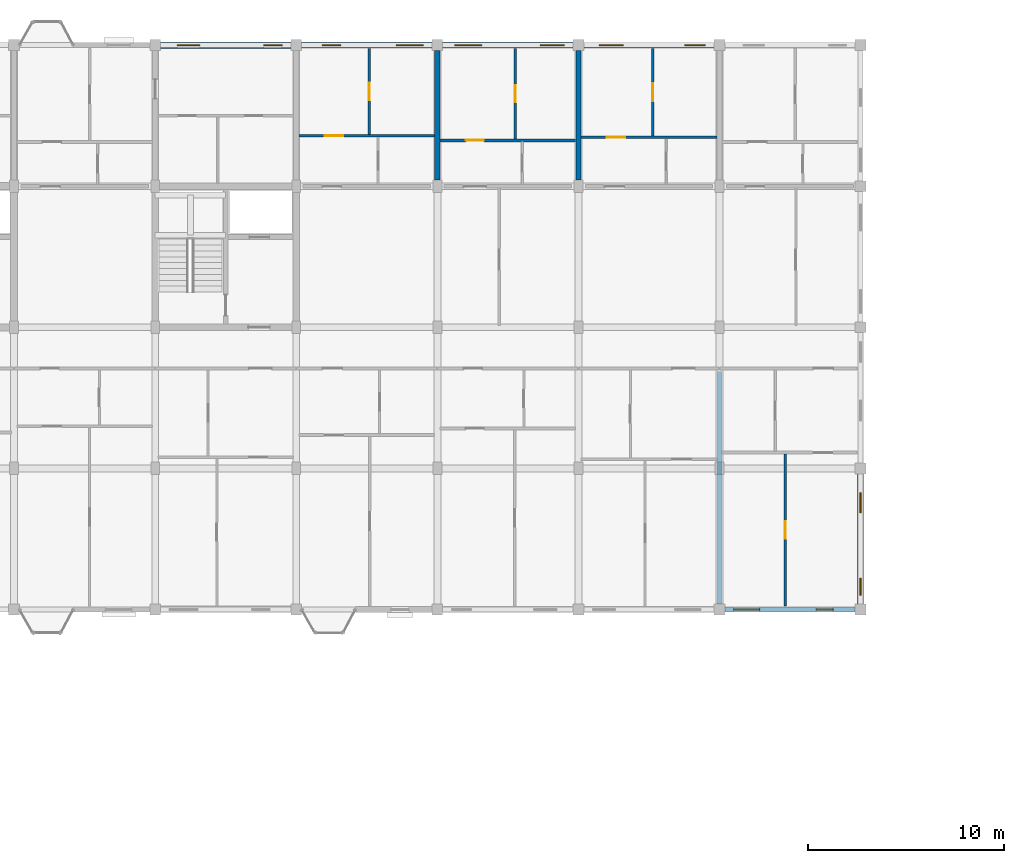
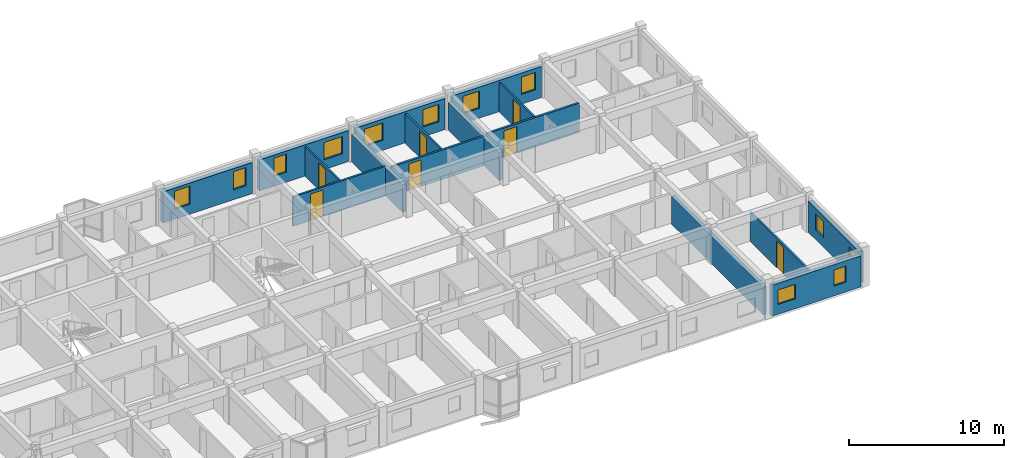
# One storey, part 70 of 77: 16 walls, 12 windows, 7 doors, 19 openings.
"""IFC4 building model written with IfcOpenShell, lengths in metres."""

from ifc_helpers import new_model, si_unit, direction, frame, frame_2d, origin, place, context, subcontext, project, spatial, rectangle, extrude, material, layer, layer_set, type_object, element, fill, save


model = new_model("IFC4")

# Units and contexts
model_context = context("Model", 3, precision=1e-05, world=origin(), true_north=direction((0.0, 1.0)))
body_context = subcontext(model_context, "Body", "Model", "MODEL_VIEW")
ifc_project = project(units=[si_unit("LENGTHUNIT", "METRE"), si_unit("AREAUNIT", "SQUARE_METRE"), si_unit("VOLUMEUNIT", "CUBIC_METRE"), si_unit("PLANEANGLEUNIT", "RADIAN"), si_unit("MASSUNIT", "GRAM", prefix="KILO"), si_unit("THERMODYNAMICTEMPERATUREUNIT", "KELVIN"), si_unit("POWERUNIT", "WATT")], contexts=[model_context])

# Site, building, storey
site_placement = place(None, origin())
site = spatial("IfcSite", under=ifc_project, at=site_placement, CompositionType="ELEMENT")
building_placement = place(site_placement, origin())
building = spatial("IfcBuilding", under=site, at=building_placement, Name="Tavuni Mirador Residences", CompositionType="ELEMENT")
storey_placement = place(building_placement, frame((0.0, 0.0, 10.800048828125)))
storey = spatial("IfcBuildingStorey", under=building, at=storey_placement, Name="L03", CompositionType="ELEMENT", Elevation=10.800048828125)

# Wall, openings, windows
ifc_material_1 = material(Name="Precast concrete C40/50", Category="concrete")
ifc_layer_1 = layer(ifc_material_1, 0.330078125, Name="Precast concrete C40/50", Category="concrete")
ifc_layer_set_1 = layer_set([ifc_layer_1], Name="Precast concrete C40/50")
wall_type_1 = type_object("IfcWallType", Name="WT-EXT-COR330", PredefinedType="SOLIDWALL", material=ifc_layer_set_1)
wall_1_placement = place(storey_placement, frame((46.52490234375, 172.800048828125, 0.0), z_axis=(0.0, 0.0, 1.0), x_axis=(-1.0, 0.0, 0.0)))
wall_1 = element("IfcWall", 1, at=wall_1_placement, inside=storey, type_object=wall_type_1, Name="EW-BLK-C-L03-N04", PredefinedType="SOLIDWALL", context=body_context, shape_type="SweptSolid", body=[
    extrude(rectangle(XDim=6.64990234375, YDim=0.330078125, at=frame_2d((3.324951171875, 0.0))), origin(), (0.0, 0.0, 1.0), 2.454833984375),
])
opening_1_placement = place(wall_1_placement, frame((0.449951171875, 0.0, 0.780029296875)))
opening_1 = element("IfcOpeningElement", 2, at=opening_1_placement, cuts=wall_1, Name="Opening WN-25", PredefinedType="OPENING", context=body_context, shape_type="SweptSolid", body=[
    extrude(rectangle(XDim=0.93994140625, YDim=1.43994140625, at=frame_2d((0.469970703125, 0.719970703125))), frame((0.0, 0.175048828125, 0.0), z_axis=(0.0, -1.0, 0.0), x_axis=(1.0, 0.0, 0.0)), (0.0, 0.0, 1.0), 0.35009765625),
])
opening_2_placement = place(wall_1_placement, frame((4.64990234375, 0.0, 0.780029296875)))
opening_2 = element("IfcOpeningElement", 3, at=opening_2_placement, cuts=wall_1, Name="Opening WN-27", PredefinedType="OPENING", context=body_context, shape_type="SweptSolid", body=[
    extrude(rectangle(XDim=1.14990234375, YDim=1.43994140625, at=frame_2d((0.574951171875, 0.719970703125))), frame((0.0, 0.175048828125, 0.0), z_axis=(0.0, -1.0, 0.0), x_axis=(1.0, 0.0, 0.0)), (0.0, 0.0, 1.0), 0.35009765625),
])
ifc_material_2 = material(Name="Laminated solar-control glass", Category="glass")
window_type_1 = type_object("IfcWindowType", Name="WNT-25", PartitioningType="SINGLE_PANEL", PredefinedType="WINDOW", material=ifc_material_2)
window_1_placement = place(opening_1_placement, origin())
window_1 = element("IfcWindow", 4, at=window_1_placement, inside=storey, type_object=window_type_1, Name="WIN-0981", OverallHeight=1.43994140625, OverallWidth=0.93994140625, PartitioningType="SINGLE_PANEL", PredefinedType="WINDOW", context=body_context, shape_type="SweptSolid", body=[
    extrude(rectangle(XDim=0.93994140625, YDim=1.43994140625, at=frame_2d((0.469970703125, 0.719970703125))), frame((0.0, 0.030029296875, 0.0), z_axis=(0.0, -1.0, 0.0), x_axis=(1.0, 0.0, 0.0)), (0.0, 0.0, 1.0), 0.06005859375),
])
fill(opening_1, window_1)
window_type_2 = type_object("IfcWindowType", Name="WNT-27", PartitioningType="SINGLE_PANEL", PredefinedType="WINDOW", material=ifc_material_2)
window_2_placement = place(opening_2_placement, origin())
window_2 = element("IfcWindow", 5, at=window_2_placement, inside=storey, type_object=window_type_2, Name="WIN-0982", OverallHeight=1.43994140625, OverallWidth=1.14990234375, PartitioningType="SINGLE_PANEL", PredefinedType="WINDOW", context=body_context, shape_type="SweptSolid", body=[
    extrude(rectangle(XDim=1.14990234375, YDim=1.43994140625, at=frame_2d((0.574951171875, 0.719970703125))), frame((0.0, 0.030029296875, 0.0), z_axis=(0.0, -1.0, 0.0), x_axis=(1.0, 0.0, 0.0)), (0.0, 0.0, 1.0), 0.06005859375),
])
fill(opening_2, window_2)

ifc_material_3 = material(Name="Sgraffito lime-rendered precast concrete C40/50", Category="concrete")
ifc_layer_2 = layer(ifc_material_3, 0.27490234375, Name="Sgraffito lime-rendered precast concrete C40/50", Category="concrete")
ifc_layer_set_2 = layer_set([ifc_layer_2], Name="Sgraffito lime-rendered precast concrete C40/50")
wall_type_2 = type_object("IfcWallType", Name="WT-EXT-PC275", PredefinedType="SOLIDWALL", material=ifc_layer_set_2)
wall_2_placement = place(storey_placement, frame((68.675048828125, 144.0, 0.0), z_axis=(0.0, 0.0, 1.0), x_axis=(1.0, 0.0, 0.0)))
wall_2 = element("IfcWall", 6, at=wall_2_placement, inside=storey, type_object=wall_type_2, Name="EW-BLK-C-L03-S08", PredefinedType="SOLIDWALL", context=body_context, shape_type="SweptSolid", body=[
    extrude(rectangle(XDim=6.64990234375, YDim=0.27490234375, at=frame_2d((3.324951171875, 0.0))), origin(), (0.0, 0.0, 1.0), 2.454833984375),
])
opening_3_placement = place(wall_2_placement, frame((0.449951171875, 0.0, 0.780029296875)))
opening_3 = element("IfcOpeningElement", 7, at=opening_3_placement, cuts=wall_2, Name="Opening WN-07", PredefinedType="OPENING", context=body_context, shape_type="SweptSolid", body=[
    extrude(rectangle(XDim=1.320068359375, YDim=1.14990234375, at=frame_2d((0.66015625, 0.574951171875))), frame((0.0, 0.1474609375, 0.0), z_axis=(0.0, -1.0, 0.0), x_axis=(1.0, 0.0, 0.0)), (0.0, 0.0, 1.0), 0.294921875),
])
opening_4_placement = place(wall_2_placement, frame((4.64990234375, 0.0, 0.780029296875)))
opening_4 = element("IfcOpeningElement", 8, at=opening_4_placement, cuts=wall_2, Name="Opening WN-09", PredefinedType="OPENING", context=body_context, shape_type="SweptSolid", body=[
    extrude(rectangle(XDim=0.8798828125, YDim=1.260009765625, at=frame_2d((0.43994140625, 0.6298828125))), frame((0.0, 0.1474609375, 0.0), z_axis=(0.0, -1.0, 0.0), x_axis=(1.0, 0.0, 0.0)), (0.0, 0.0, 1.0), 0.294921875),
])
window_type_3 = type_object("IfcWindowType", Name="WNT-07", PartitioningType="SINGLE_PANEL", PredefinedType="WINDOW", material=ifc_material_2)
window_3_placement = place(opening_3_placement, origin())
window_3 = element("IfcWindow", 9, at=window_3_placement, inside=storey, type_object=window_type_3, Name="WIN-0963", OverallHeight=1.14990234375, OverallWidth=1.320068359375, PartitioningType="SINGLE_PANEL", PredefinedType="WINDOW", context=body_context, shape_type="SweptSolid", body=[
    extrude(rectangle(XDim=1.320068359375, YDim=1.14990234375, at=frame_2d((0.66015625, 0.574951171875))), frame((0.0, 0.030029296875, 0.0), z_axis=(0.0, -1.0, 0.0), x_axis=(1.0, 0.0, 0.0)), (0.0, 0.0, 1.0), 0.06005859375),
])
fill(opening_3, window_3)
window_type_4 = type_object("IfcWindowType", Name="WNT-09", PartitioningType="SINGLE_PANEL", PredefinedType="WINDOW", material=ifc_material_2)
window_4_placement = place(opening_4_placement, origin())
window_4 = element("IfcWindow", 10, at=window_4_placement, inside=storey, type_object=window_type_4, Name="WIN-0964", OverallHeight=1.260009765625, OverallWidth=0.8798828125, PartitioningType="SINGLE_PANEL", PredefinedType="WINDOW", context=body_context, shape_type="SweptSolid", body=[
    extrude(rectangle(XDim=0.8798828125, YDim=1.260009765625, at=frame_2d((0.43994140625, 0.6298828125))), frame((0.0, 0.030029296875, 0.0), z_axis=(0.0, -1.0, 0.0), x_axis=(1.0, 0.0, 0.0)), (0.0, 0.0, 1.0), 0.06005859375),
])
fill(opening_4, window_4)

ifc_layer_3 = layer(ifc_material_3, 0.2900390625, Name="Sgraffito lime-rendered precast concrete C40/50", Category="concrete")
ifc_layer_set_3 = layer_set([ifc_layer_3], Name="Sgraffito lime-rendered precast concrete C40/50")
wall_type_3 = type_object("IfcWallType", Name="WT-EXT-PC290", PredefinedType="SOLIDWALL", material=ifc_layer_set_3)
wall_3_placement = place(storey_placement, frame((75.60009765625, 144.27490234375, 0.0), z_axis=(0.0, 0.0, 1.0), x_axis=(0.0, 1.0, 0.0)))
wall_3 = element("IfcWall", 11, at=wall_3_placement, inside=storey, type_object=wall_type_3, Name="EW-BLK-C-L03-E00", PredefinedType="SOLIDWALL", context=body_context, shape_type="SweptSolid", body=[
    extrude(rectangle(XDim=6.650146484375, YDim=0.2900390625, at=frame_2d((3.3251953125, 0.0))), origin(), (0.0, 0.0, 1.0), 2.454833984375),
])
opening_5_placement = place(wall_3_placement, frame((0.449951171875, 0.0, 0.780029296875)))
opening_5 = element("IfcOpeningElement", 12, at=opening_5_placement, cuts=wall_3, Name="Opening WN-09", PredefinedType="OPENING", context=body_context, shape_type="SweptSolid", body=[
    extrude(rectangle(XDim=0.8798828125, YDim=1.260009765625, at=frame_2d((0.43994140625, 0.6298828125))), frame((0.0, 0.155029296875, 0.0), z_axis=(0.0, -1.0, 0.0), x_axis=(1.0, 0.0, 0.0)), (0.0, 0.0, 1.0), 0.31005859375),
])
opening_6_placement = place(wall_3_placement, frame((4.64990234375, 0.0, 0.780029296875)))
opening_6 = element("IfcOpeningElement", 13, at=opening_6_placement, cuts=wall_3, Name="Opening WN-11", PredefinedType="OPENING", context=body_context, shape_type="SweptSolid", body=[
    extrude(rectangle(XDim=1.0400390625, YDim=1.260009765625, at=frame_2d((0.52001953125, 0.6298828125))), frame((0.0, 0.155029296875, 0.0), z_axis=(0.0, -1.0, 0.0), x_axis=(1.0, 0.0, 0.0)), (0.0, 0.0, 1.0), 0.31005859375),
])
window_5_placement = place(opening_5_placement, origin())
window_5 = element("IfcWindow", 14, at=window_5_placement, inside=storey, type_object=window_type_4, Name="WIN-0965", OverallHeight=1.260009765625, OverallWidth=0.8798828125, PartitioningType="SINGLE_PANEL", PredefinedType="WINDOW", context=body_context, shape_type="SweptSolid", body=[
    extrude(rectangle(XDim=0.8798828125, YDim=1.260009765625, at=frame_2d((0.43994140625, 0.6298828125))), frame((0.0, 0.030029296875, 0.0), z_axis=(0.0, -1.0, 0.0), x_axis=(1.0, 0.0, 0.0)), (0.0, 0.0, 1.0), 0.06005859375),
])
fill(opening_5, window_5)
window_type_5 = type_object("IfcWindowType", Name="WNT-11", PartitioningType="SINGLE_PANEL", PredefinedType="WINDOW", material=ifc_material_2)
window_6_placement = place(opening_6_placement, origin())
window_6 = element("IfcWindow", 15, at=window_6_placement, inside=storey, type_object=window_type_5, Name="WIN-0966", OverallHeight=1.260009765625, OverallWidth=1.0400390625, PartitioningType="SINGLE_PANEL", PredefinedType="WINDOW", context=body_context, shape_type="SweptSolid", body=[
    extrude(rectangle(XDim=1.0400390625, YDim=1.260009765625, at=frame_2d((0.52001953125, 0.6298828125))), frame((0.0, 0.030029296875, 0.0), z_axis=(0.0, -1.0, 0.0), x_axis=(1.0, 0.0, 0.0)), (0.0, 0.0, 1.0), 0.06005859375),
])
fill(opening_6, window_6)

wall_4_placement = place(storey_placement, frame((68.125, 172.800048828125, 0.0), z_axis=(0.0, 0.0, 1.0), x_axis=(-1.0, 0.0, 0.0)))
wall_4 = element("IfcWall", 16, at=wall_4_placement, inside=storey, type_object=wall_type_3, Name="EW-BLK-C-L03-N07", PredefinedType="SOLIDWALL", context=body_context, shape_type="SweptSolid", body=[
    extrude(rectangle(XDim=6.64990234375, YDim=0.2900390625, at=frame_2d((3.324951171875, 0.0))), origin(), (0.0, 0.0, 1.0), 2.454833984375),
])
opening_7_placement = place(wall_4_placement, frame((0.449951171875, 0.0, 0.780029296875)))
opening_7 = element("IfcOpeningElement", 17, at=opening_7_placement, cuts=wall_4, Name="Opening WN-19", PredefinedType="OPENING", context=body_context, shape_type="SweptSolid", body=[
    extrude(rectangle(XDim=1.06005859375, YDim=1.360107421875, at=frame_2d((0.530029296875, 0.68017578125))), frame((0.0, 0.155029296875, 0.0), z_axis=(0.0, -1.0, 0.0), x_axis=(1.0, 0.0, 0.0)), (0.0, 0.0, 1.0), 0.31005859375),
])
opening_8_placement = place(wall_4_placement, frame((4.64990234375, 0.0, 0.780029296875)))
opening_8 = element("IfcOpeningElement", 18, at=opening_8_placement, cuts=wall_4, Name="Opening WN-21", PredefinedType="OPENING", context=body_context, shape_type="SweptSolid", body=[
    extrude(rectangle(XDim=1.219970703125, YDim=1.360107421875, at=frame_2d((0.60986328125, 0.68017578125))), frame((0.0, 0.155029296875, 0.0), z_axis=(0.0, -1.0, 0.0), x_axis=(1.0, 0.0, 0.0)), (0.0, 0.0, 1.0), 0.31005859375),
])
window_type_6 = type_object("IfcWindowType", Name="WNT-19", PartitioningType="SINGLE_PANEL", PredefinedType="WINDOW", material=ifc_material_2)
window_7_placement = place(opening_7_placement, origin())
window_7 = element("IfcWindow", 19, at=window_7_placement, inside=storey, type_object=window_type_6, Name="WIN-0975", OverallHeight=1.360107421875, OverallWidth=1.06005859375, PartitioningType="SINGLE_PANEL", PredefinedType="WINDOW", context=body_context, shape_type="SweptSolid", body=[
    extrude(rectangle(XDim=1.06005859375, YDim=1.360107421875, at=frame_2d((0.530029296875, 0.68017578125))), frame((0.0, 0.030029296875, 0.0), z_axis=(0.0, -1.0, 0.0), x_axis=(1.0, 0.0, 0.0)), (0.0, 0.0, 1.0), 0.06005859375),
])
fill(opening_7, window_7)
window_type_7 = type_object("IfcWindowType", Name="WNT-21", PartitioningType="SINGLE_PANEL", PredefinedType="WINDOW", material=ifc_material_2)
window_8_placement = place(opening_8_placement, origin())
window_8 = element("IfcWindow", 20, at=window_8_placement, inside=storey, type_object=window_type_7, Name="WIN-0976", OverallHeight=1.360107421875, OverallWidth=1.219970703125, PartitioningType="SINGLE_PANEL", PredefinedType="WINDOW", context=body_context, shape_type="SweptSolid", body=[
    extrude(rectangle(XDim=1.219970703125, YDim=1.360107421875, at=frame_2d((0.60986328125, 0.68017578125))), frame((0.0, 0.030029296875, 0.0), z_axis=(0.0, -1.0, 0.0), x_axis=(1.0, 0.0, 0.0)), (0.0, 0.0, 1.0), 0.06005859375),
])
fill(opening_8, window_8)

ifc_layer_4 = layer(ifc_material_3, 0.304931640625, Name="Sgraffito lime-rendered precast concrete C40/50", Category="concrete")
ifc_layer_set_4 = layer_set([ifc_layer_4], Name="Sgraffito lime-rendered precast concrete C40/50")
wall_type_4 = type_object("IfcWallType", Name="WT-EXT-PC305", PredefinedType="SOLIDWALL", material=ifc_layer_set_4)
wall_5_placement = place(storey_placement, frame((60.925048828125, 172.800048828125, 0.0), z_axis=(0.0, 0.0, 1.0), x_axis=(-1.0, 0.0, 0.0)))
wall_5 = element("IfcWall", 21, at=wall_5_placement, inside=storey, type_object=wall_type_4, Name="EW-BLK-C-L03-N06", PredefinedType="SOLIDWALL", context=body_context, shape_type="SweptSolid", body=[
    extrude(rectangle(XDim=6.650146484375, YDim=0.304931640625, at=frame_2d((3.3251953125, 0.0))), origin(), (0.0, 0.0, 1.0), 2.454833984375),
])
opening_9_placement = place(wall_5_placement, frame((0.449951171875, 0.0, 0.780029296875)))
opening_9 = element("IfcOpeningElement", 22, at=opening_9_placement, cuts=wall_5, Name="Opening WN-21", PredefinedType="OPENING", context=body_context, shape_type="SweptSolid", body=[
    extrude(rectangle(XDim=1.219970703125, YDim=1.360107421875, at=frame_2d((0.60986328125, 0.68017578125))), frame((0.0, 0.16259765625, 0.0), z_axis=(0.0, -1.0, 0.0), x_axis=(1.0, 0.0, 0.0)), (0.0, 0.0, 1.0), 0.324951171875),
])
opening_10_placement = place(wall_5_placement, frame((4.64990234375, 0.0, 0.780029296875)))
opening_10 = element("IfcOpeningElement", 23, at=opening_10_placement, cuts=wall_5, Name="Opening WN-23", PredefinedType="OPENING", context=body_context, shape_type="SweptSolid", body=[
    extrude(rectangle(XDim=1.3798828125, YDim=1.360107421875, at=frame_2d((0.68994140625, 0.68017578125))), frame((0.0, 0.16259765625, 0.0), z_axis=(0.0, -1.0, 0.0), x_axis=(1.0, 0.0, 0.0)), (0.0, 0.0, 1.0), 0.324951171875),
])
window_9_placement = place(opening_9_placement, origin())
window_9 = element("IfcWindow", 24, at=window_9_placement, inside=storey, type_object=window_type_7, Name="WIN-0977", OverallHeight=1.360107421875, OverallWidth=1.219970703125, PartitioningType="SINGLE_PANEL", PredefinedType="WINDOW", context=body_context, shape_type="SweptSolid", body=[
    extrude(rectangle(XDim=1.219970703125, YDim=1.360107421875, at=frame_2d((0.60986328125, 0.68017578125))), frame((0.0, 0.030029296875, 0.0), z_axis=(0.0, -1.0, 0.0), x_axis=(1.0, 0.0, 0.0)), (0.0, 0.0, 1.0), 0.06005859375),
])
fill(opening_9, window_9)
window_type_8 = type_object("IfcWindowType", Name="WNT-23", PartitioningType="SINGLE_PANEL", PredefinedType="WINDOW", material=ifc_material_2)
window_10_placement = place(opening_10_placement, origin())
window_10 = element("IfcWindow", 25, at=window_10_placement, inside=storey, type_object=window_type_8, Name="WIN-0978", OverallHeight=1.360107421875, OverallWidth=1.3798828125, PartitioningType="SINGLE_PANEL", PredefinedType="WINDOW", context=body_context, shape_type="SweptSolid", body=[
    extrude(rectangle(XDim=1.3798828125, YDim=1.360107421875, at=frame_2d((0.68994140625, 0.68017578125))), frame((0.0, 0.030029296875, 0.0), z_axis=(0.0, -1.0, 0.0), x_axis=(1.0, 0.0, 0.0)), (0.0, 0.0, 1.0), 0.06005859375),
])
fill(opening_10, window_10)

ifc_layer_5 = layer(ifc_material_3, 0.31494140625, Name="Sgraffito lime-rendered precast concrete C40/50", Category="concrete")
ifc_layer_set_5 = layer_set([ifc_layer_5], Name="Sgraffito lime-rendered precast concrete C40/50")
wall_type_5 = type_object("IfcWallType", Name="WT-EXT-PC315", PredefinedType="SOLIDWALL", material=ifc_layer_set_5)
wall_6_placement = place(storey_placement, frame((53.72509765625, 172.800048828125, 0.0), z_axis=(0.0, 0.0, 1.0), x_axis=(-1.0, 0.0, 0.0)))
wall_6 = element("IfcWall", 26, at=wall_6_placement, inside=storey, type_object=wall_type_5, Name="EW-BLK-C-L03-N05", PredefinedType="SOLIDWALL", context=body_context, shape_type="SweptSolid", body=[
    extrude(rectangle(XDim=6.650146484375, YDim=0.31494140625, at=frame_2d((3.3251953125, 0.0))), origin(), (0.0, 0.0, 1.0), 2.454833984375),
])
opening_11_placement = place(wall_6_placement, frame((0.449951171875, 0.0, 0.780029296875)))
opening_11 = element("IfcOpeningElement", 27, at=opening_11_placement, cuts=wall_6, Name="Opening WN-23", PredefinedType="OPENING", context=body_context, shape_type="SweptSolid", body=[
    extrude(rectangle(XDim=1.3798828125, YDim=1.360107421875, at=frame_2d((0.68994140625, 0.68017578125))), frame((0.0, 0.16748046875, 0.0), z_axis=(0.0, -1.0, 0.0), x_axis=(1.0, 0.0, 0.0)), (0.0, 0.0, 1.0), 0.3349609375),
])
opening_12_placement = place(wall_6_placement, frame((4.64990234375, 0.0, 0.780029296875)))
opening_12 = element("IfcOpeningElement", 28, at=opening_12_placement, cuts=wall_6, Name="Opening WN-25", PredefinedType="OPENING", context=body_context, shape_type="SweptSolid", body=[
    extrude(rectangle(XDim=0.93994140625, YDim=1.43994140625, at=frame_2d((0.469970703125, 0.719970703125))), frame((0.0, 0.16748046875, 0.0), z_axis=(0.0, -1.0, 0.0), x_axis=(1.0, 0.0, 0.0)), (0.0, 0.0, 1.0), 0.3349609375),
])
window_11_placement = place(opening_11_placement, origin())
window_11 = element("IfcWindow", 29, at=window_11_placement, inside=storey, type_object=window_type_8, Name="WIN-0979", OverallHeight=1.360107421875, OverallWidth=1.3798828125, PartitioningType="SINGLE_PANEL", PredefinedType="WINDOW", context=body_context, shape_type="SweptSolid", body=[
    extrude(rectangle(XDim=1.3798828125, YDim=1.360107421875, at=frame_2d((0.68994140625, 0.68017578125))), frame((0.0, 0.030029296875, 0.0), z_axis=(0.0, -1.0, 0.0), x_axis=(1.0, 0.0, 0.0)), (0.0, 0.0, 1.0), 0.06005859375),
])
fill(opening_11, window_11)
window_12_placement = place(opening_12_placement, origin())
window_12 = element("IfcWindow", 30, at=window_12_placement, inside=storey, type_object=window_type_1, Name="WIN-0980", OverallHeight=1.43994140625, OverallWidth=0.93994140625, PartitioningType="SINGLE_PANEL", PredefinedType="WINDOW", context=body_context, shape_type="SweptSolid", body=[
    extrude(rectangle(XDim=0.93994140625, YDim=1.43994140625, at=frame_2d((0.469970703125, 0.719970703125))), frame((0.0, 0.030029296875, 0.0), z_axis=(0.0, -1.0, 0.0), x_axis=(1.0, 0.0, 0.0)), (0.0, 0.0, 1.0), 0.06005859375),
])
fill(opening_12, window_12)

# Wall, opening, door
ifc_material_4 = material(Name="Acoustic gypsum and concrete block partition", Category="concrete")
ifc_layer_6 = layer(ifc_material_4, 0.114990234375, Name="Acoustic gypsum and concrete block partition", Category="concrete")
ifc_layer_set_6 = layer_set([ifc_layer_6], Name="Acoustic gypsum and concrete block partition")
wall_type_6 = type_object("IfcWallType", Name="WT-PART115", PredefinedType="PARTITIONING", material=ifc_layer_set_6)
wall_7_placement = place(storey_placement, frame((50.52001953125, 168.25, 0.0), z_axis=(0.0, 0.0, 1.0), x_axis=(0.0, 1.0, 0.0)))
wall_7 = element("IfcWall", 31, at=wall_7_placement, inside=storey, type_object=wall_type_6, Name="PW-BLK-C-L03-N05-OUT", PredefinedType="PARTITIONING", context=body_context, shape_type="SweptSolid", body=[
    extrude(rectangle(XDim=4.375, YDim=0.114990234375, at=frame_2d((2.1875, 0.0))), origin(), (0.0, 0.0, 1.0), 2.320068359375),
])
opening_13_placement = place(wall_7_placement, frame((1.737548828125, 0.0, 0.0)))
opening_13 = element("IfcOpeningElement", 32, at=opening_13_placement, cuts=wall_7, Name="Opening D-07", PredefinedType="OPENING", context=body_context, shape_type="SweptSolid", body=[
    extrude(rectangle(XDim=0.89990234375, YDim=2.10009765625, at=frame_2d((0.449951171875, 1.050048828125))), frame((0.0, 0.0673828125, 0.0), z_axis=(0.0, -1.0, 0.0), x_axis=(1.0, 0.0, 0.0)), (0.0, 0.0, 1.0), 0.135009765625),
])
ifc_material_5 = material(Name="Solid core iroko timber", Category="wood")
door_type_1 = type_object("IfcDoorType", Name="DT-BED900", OperationType="NOTDEFINED", PredefinedType="DOOR", material=ifc_material_5)
door_1_placement = place(opening_13_placement, origin())
door_1 = element("IfcDoor", 33, at=door_1_placement, inside=storey, type_object=door_type_1, Name="DR-3827", OperationType="SINGLE_SWING_RIGHT", OverallHeight=2.10009765625, OverallWidth=0.89990234375, PredefinedType="DOOR", context=body_context, shape_type="SweptSolid", body=[
    extrude(rectangle(XDim=0.89990234375, YDim=2.10009765625, at=frame_2d((0.449951171875, 1.050048828125))), frame((0.0, 0.02490234375, 0.0), z_axis=(0.0, -1.0, 0.0), x_axis=(1.0, 0.0, 0.0)), (0.0, 0.0, 1.0), 0.050048828125),
])
fill(opening_13, door_1)

ifc_layer_7 = layer(ifc_material_4, 0.125, Name="Acoustic gypsum and concrete block partition", Category="concrete")
ifc_layer_set_7 = layer_set([ifc_layer_7], Name="Acoustic gypsum and concrete block partition")
wall_type_7 = type_object("IfcWallType", Name="WT-PART125", PredefinedType="PARTITIONING", material=ifc_layer_set_7)
wall_8_placement = place(storey_placement, frame((57.97998046875, 168.010009765625, 0.0), z_axis=(0.0, 0.0, 1.0), x_axis=(0.0, 1.0, 0.0)))
wall_8 = element("IfcWall", 34, at=wall_8_placement, inside=storey, type_object=wall_type_7, Name="PW-BLK-C-L03-N06-OUT", PredefinedType="PARTITIONING", context=body_context, shape_type="SweptSolid", body=[
    extrude(rectangle(XDim=4.614990234375, YDim=0.125, at=frame_2d((2.3076171875, 0.0))), origin(), (0.0, 0.0, 1.0), 2.320068359375),
])
opening_14_placement = place(wall_8_placement, frame((1.867431640625, 0.0, 0.0)))
opening_14 = element("IfcOpeningElement", 35, at=opening_14_placement, cuts=wall_8, Name="Opening D-08", PredefinedType="OPENING", context=body_context, shape_type="SweptSolid", body=[
    extrude(rectangle(XDim=0.8798828125, YDim=2.080078125, at=frame_2d((0.43994140625, 1.0400390625))), frame((0.0, 0.072509765625, 0.0), z_axis=(0.0, -1.0, 0.0), x_axis=(1.0, 0.0, 0.0)), (0.0, 0.0, 1.0), 0.14501953125),
])
door_type_2 = type_object("IfcDoorType", Name="DT-BED880", OperationType="NOTDEFINED", PredefinedType="DOOR", material=ifc_material_5)
door_2_placement = place(opening_14_placement, origin())
door_2 = element("IfcDoor", 36, at=door_2_placement, inside=storey, type_object=door_type_2, Name="DR-3834", OperationType="SINGLE_SWING_LEFT", OverallHeight=2.080078125, OverallWidth=0.8798828125, PredefinedType="DOOR", context=body_context, shape_type="SweptSolid", body=[
    extrude(rectangle(XDim=0.8798828125, YDim=2.080078125, at=frame_2d((0.43994140625, 1.0400390625))), frame((0.0, 0.02490234375, 0.0), z_axis=(0.0, -1.0, 0.0), x_axis=(1.0, 0.0, 0.0)), (0.0, 0.0, 1.0), 0.050048828125),
])
fill(opening_14, door_2)

wall_9_placement = place(storey_placement, frame((65.0, 168.169921875, 0.0), z_axis=(0.0, 0.0, 1.0), x_axis=(0.0, 1.0, 0.0)))
wall_9 = element("IfcWall", 37, at=wall_9_placement, inside=storey, type_object=wall_type_7, Name="PW-BLK-C-L03-N07-OUT", PredefinedType="PARTITIONING", context=body_context, shape_type="SweptSolid", body=[
    extrude(rectangle(XDim=4.455078125, YDim=0.125, at=frame_2d((2.2275390625, 0.0))), origin(), (0.0, 0.0, 1.0), 2.320068359375),
])
opening_15_placement = place(wall_9_placement, frame((1.777587890625, 0.0, 0.0)))
opening_15 = element("IfcOpeningElement", 38, at=opening_15_placement, cuts=wall_9, Name="Opening D-07", PredefinedType="OPENING", context=body_context, shape_type="SweptSolid", body=[
    extrude(rectangle(XDim=0.89990234375, YDim=2.10009765625, at=frame_2d((0.449951171875, 1.050048828125))), frame((0.0, 0.072509765625, 0.0), z_axis=(0.0, -1.0, 0.0), x_axis=(1.0, 0.0, 0.0)), (0.0, 0.0, 1.0), 0.14501953125),
])
door_3_placement = place(opening_15_placement, origin())
door_3 = element("IfcDoor", 39, at=door_3_placement, inside=storey, type_object=door_type_1, Name="DR-3840", OperationType="SINGLE_SWING_RIGHT", OverallHeight=2.10009765625, OverallWidth=0.89990234375, PredefinedType="DOOR", context=body_context, shape_type="SweptSolid", body=[
    extrude(rectangle(XDim=0.89990234375, YDim=2.10009765625, at=frame_2d((0.449951171875, 1.050048828125))), frame((0.0, 0.02490234375, 0.0), z_axis=(0.0, -1.0, 0.0), x_axis=(1.0, 0.0, 0.0)), (0.0, 0.0, 1.0), 0.050048828125),
])
fill(opening_15, door_3)

wall_10_placement = place(storey_placement, frame((71.75, 144.175048828125, 0.0), z_axis=(0.0, 0.0, 1.0), x_axis=(0.0, 1.0, 0.0)))
wall_10 = element("IfcWall", 40, at=wall_10_placement, inside=storey, type_object=wall_type_7, Name="PW-BLK-C-L03-S08-OUT", PredefinedType="PARTITIONING", context=body_context, shape_type="SweptSolid", body=[
    extrude(rectangle(XDim=7.7548828125, YDim=0.125, at=frame_2d((3.87744140625, 0.0))), origin(), (0.0, 0.0, 1.0), 2.320068359375),
])
opening_16_placement = place(wall_10_placement, frame((3.427490234375, 0.0, 0.0)))
opening_16 = element("IfcOpeningElement", 41, at=opening_16_placement, cuts=wall_10, Name="Opening D-07", PredefinedType="OPENING", context=body_context, shape_type="SweptSolid", body=[
    extrude(rectangle(XDim=0.89990234375, YDim=2.10009765625, at=frame_2d((0.449951171875, 1.050048828125))), frame((0.0, 0.072509765625, 0.0), z_axis=(0.0, -1.0, 0.0), x_axis=(1.0, 0.0, 0.0)), (0.0, 0.0, 1.0), 0.14501953125),
])
door_4_placement = place(opening_16_placement, origin())
door_4 = element("IfcDoor", 42, at=door_4_placement, inside=storey, type_object=door_type_1, Name="DR-3844", OperationType="SINGLE_SWING_RIGHT", OverallHeight=2.10009765625, OverallWidth=0.89990234375, PredefinedType="DOOR", context=body_context, shape_type="SweptSolid", body=[
    extrude(rectangle(XDim=0.89990234375, YDim=2.10009765625, at=frame_2d((0.449951171875, 1.050048828125))), frame((0.0, 0.02490234375, 0.0), z_axis=(0.0, -1.0, 0.0), x_axis=(1.0, 0.0, 0.0)), (0.0, 0.0, 1.0), 0.050048828125),
])
fill(opening_16, door_4)

ifc_layer_8 = layer(ifc_material_4, 0.139892578125, Name="Acoustic gypsum and concrete block partition", Category="concrete")
ifc_layer_set_8 = layer_set([ifc_layer_8], Name="Acoustic gypsum and concrete block partition")
wall_type_8 = type_object("IfcWallType", Name="WT-PART140", PredefinedType="PARTITIONING", material=ifc_layer_set_8)
wall_11_placement = place(storey_placement, frame((46.93994140625, 168.179931640625, 0.0), z_axis=(0.0, 0.0, 1.0), x_axis=(1.0, 0.0, 0.0)))
wall_11 = element("IfcWall", 43, at=wall_11_placement, inside=storey, type_object=wall_type_8, Name="PW-BLK-C-L03-N05-MID", PredefinedType="PARTITIONING", context=body_context, shape_type="SweptSolid", body=[
    extrude(rectangle(XDim=6.920166015625, YDim=0.139892578125, at=frame_2d((3.4599609375, 0.0))), origin(), (0.0, 0.0, 1.0), 2.320068359375),
])
opening_17_placement = place(wall_11_placement, frame((1.31005859375, 0.0, 0.0)))
opening_17 = element("IfcOpeningElement", 44, at=opening_17_placement, cuts=wall_11, Name="Opening D-05", PredefinedType="OPENING", context=body_context, shape_type="SweptSolid", body=[
    extrude(rectangle(XDim=0.949951171875, YDim=2.10009765625, at=frame_2d((0.47509765625, 1.050048828125))), frame((0.0, 0.080078125, 0.0), z_axis=(0.0, -1.0, 0.0), x_axis=(1.0, 0.0, 0.0)), (0.0, 0.0, 1.0), 0.159912109375),
])
door_type_3 = type_object("IfcDoorType", Name="DT-INT950", OperationType="NOTDEFINED", PredefinedType="DOOR", material=ifc_material_5)
door_5_placement = place(opening_17_placement, origin())
door_5 = element("IfcDoor", 45, at=door_5_placement, inside=storey, type_object=door_type_3, Name="DR-3829", OperationType="SINGLE_SWING_LEFT", OverallHeight=2.10009765625, OverallWidth=0.949951171875, PredefinedType="DOOR", context=body_context, shape_type="SweptSolid", body=[
    extrude(rectangle(XDim=0.949951171875, YDim=2.10009765625, at=frame_2d((0.47509765625, 1.050048828125))), frame((0.0, 0.02490234375, 0.0), z_axis=(0.0, -1.0, 0.0), x_axis=(1.0, 0.0, 0.0)), (0.0, 0.0, 1.0), 0.050048828125),
])
fill(opening_17, door_5)

ifc_layer_9 = layer(ifc_material_4, 0.14990234375, Name="Acoustic gypsum and concrete block partition", Category="concrete")
ifc_layer_set_9 = layer_set([ifc_layer_9], Name="Acoustic gypsum and concrete block partition")
wall_type_9 = type_object("IfcWallType", Name="WT-PART150", PredefinedType="PARTITIONING", material=ifc_layer_set_9)
wall_12_placement = place(storey_placement, frame((54.139892578125, 167.93994140625, 0.0), z_axis=(0.0, 0.0, 1.0), x_axis=(1.0, 0.0, 0.0)))
wall_12 = element("IfcWall", 46, at=wall_12_placement, inside=storey, type_object=wall_type_9, Name="PW-BLK-C-L03-N06-MID", PredefinedType="PARTITIONING", context=body_context, shape_type="SweptSolid", body=[
    extrude(rectangle(XDim=6.920166015625, YDim=0.14990234375, at=frame_2d((3.4599609375, 0.0))), origin(), (0.0, 0.0, 1.0), 2.320068359375),
])
opening_18_placement = place(wall_12_placement, frame((1.31005859375, 0.0, 0.0)))
opening_18 = element("IfcOpeningElement", 47, at=opening_18_placement, cuts=wall_12, Name="Opening D-06", PredefinedType="OPENING", context=body_context, shape_type="SweptSolid", body=[
    extrude(rectangle(XDim=0.919921875, YDim=2.10009765625, at=frame_2d((0.4599609375, 1.050048828125))), frame((0.0, 0.0849609375, 0.0), z_axis=(0.0, -1.0, 0.0), x_axis=(1.0, 0.0, 0.0)), (0.0, 0.0, 1.0), 0.169921875),
])
door_type_4 = type_object("IfcDoorType", Name="DT-INT920", OperationType="NOTDEFINED", PredefinedType="DOOR", material=ifc_material_5)
door_6_placement = place(opening_18_placement, origin())
door_6 = element("IfcDoor", 48, at=door_6_placement, inside=storey, type_object=door_type_4, Name="DR-3836", OperationType="SINGLE_SWING_RIGHT", OverallHeight=2.10009765625, OverallWidth=0.919921875, PredefinedType="DOOR", context=body_context, shape_type="SweptSolid", body=[
    extrude(rectangle(XDim=0.919921875, YDim=2.10009765625, at=frame_2d((0.4599609375, 1.050048828125))), frame((0.0, 0.02490234375, 0.0), z_axis=(0.0, -1.0, 0.0), x_axis=(1.0, 0.0, 0.0)), (0.0, 0.0, 1.0), 0.050048828125),
])
fill(opening_18, door_6)

wall_13_placement = place(storey_placement, frame((61.340087890625, 168.10009765625, 0.0), z_axis=(0.0, 0.0, 1.0), x_axis=(1.0, 0.0, 0.0)))
wall_13 = element("IfcWall", 49, at=wall_13_placement, inside=storey, type_object=wall_type_9, Name="PW-BLK-C-L03-N07-MID", PredefinedType="PARTITIONING", context=body_context, shape_type="SweptSolid", body=[
    extrude(rectangle(XDim=6.919921875, YDim=0.14990234375, at=frame_2d((3.4599609375, 0.0))), origin(), (0.0, 0.0, 1.0), 2.320068359375),
])
opening_19_placement = place(wall_13_placement, frame((1.31005859375, 0.0, 0.0)))
opening_19 = element("IfcOpeningElement", 50, at=opening_19_placement, cuts=wall_13, Name="Opening D-05", PredefinedType="OPENING", context=body_context, shape_type="SweptSolid", body=[
    extrude(rectangle(XDim=0.949951171875, YDim=2.10009765625, at=frame_2d((0.47509765625, 1.050048828125))), frame((0.0, 0.0849609375, 0.0), z_axis=(0.0, -1.0, 0.0), x_axis=(1.0, 0.0, 0.0)), (0.0, 0.0, 1.0), 0.169921875),
])
door_7_placement = place(opening_19_placement, origin())
door_7 = element("IfcDoor", 51, at=door_7_placement, inside=storey, type_object=door_type_3, Name="DR-3842", OperationType="SINGLE_SWING_LEFT", OverallHeight=2.10009765625, OverallWidth=0.949951171875, PredefinedType="DOOR", context=body_context, shape_type="SweptSolid", body=[
    extrude(rectangle(XDim=0.949951171875, YDim=2.10009765625, at=frame_2d((0.47509765625, 1.050048828125))), frame((0.0, 0.02490234375, 0.0), z_axis=(0.0, -1.0, 0.0), x_axis=(1.0, 0.0, 0.0)), (0.0, 0.0, 1.0), 0.050048828125),
])
fill(opening_19, door_7)

# Walls
ifc_layer_10 = layer(ifc_material_1, 0.264892578125, Name="Precast concrete C40/50", Category="concrete")
ifc_layer_set_10 = layer_set([ifc_layer_10], Name="Precast concrete C40/50")
wall_type_10 = type_object("IfcWallType", Name="WT-XW265", PredefinedType="SOLIDWALL", material=ifc_layer_set_10)
for number, where, z_axis, x_axis, name in (
    (52, (54.0, 165.925048828125, 0.0), (0.0, 0.0, 1.0), (0.0, 1.0, 0.0), "XW-BLK-C-L03-N-06"),
    (53, (61.199951171875, 165.925048828125, 0.0), (0.0, 0.0, 1.0), (0.0, 1.0, 0.0), "XW-BLK-C-L03-N-07"),
):
    element("IfcWall", number, at=place(storey_placement, frame(where, z_axis=z_axis, x_axis=x_axis)), inside=storey, type_object=wall_type_10, Name=name, PredefinedType="SOLIDWALL", context=body_context, shape_type="SweptSolid", body=[
        extrude(rectangle(XDim=6.599853515625, YDim=0.264892578125, at=frame_2d((3.2998046875, 0.0))), origin(), (0.0, 0.0, 1.0), 2.18505859375),
    ])
wall_14_placement = place(storey_placement, frame((68.39990234375, 144.27490234375, 0.0), z_axis=(0.0, 0.0, 1.0), x_axis=(0.0, 1.0, 0.0)))
element("IfcWall", 54, at=wall_14_placement, inside=storey, type_object=wall_type_10, Name="XW-BLK-C-L03-S-08", PredefinedType="SOLIDWALL", context=body_context, shape_type="SweptSolid", body=[
    extrude(rectangle(XDim=11.875, YDim=0.264892578125, at=frame_2d((5.9375, 0.0))), origin(), (0.0, 0.0, 1.0), 2.18505859375),
])

save(model, "model.ifc")
